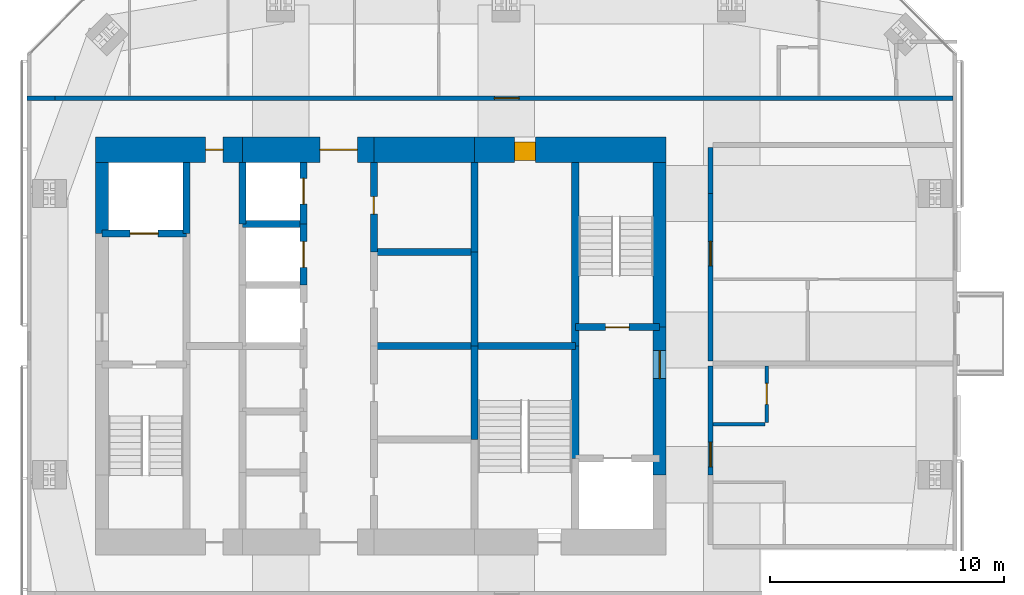
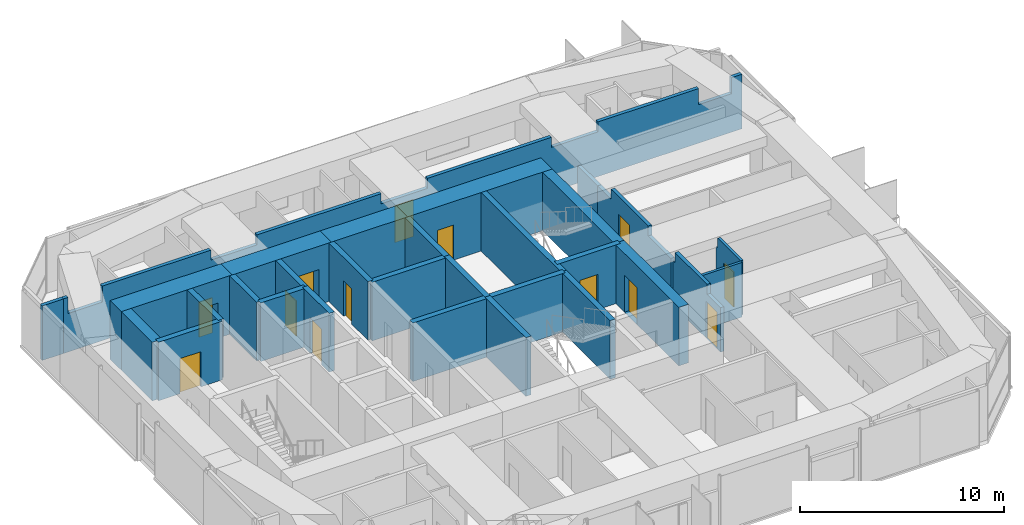
# One storey, part 15 of 18: 30 walls, 13 doors, 13 openings.
"""IFC4 building model written with IfcOpenShell, lengths in metres."""

import ifcopenshell
import ifcopenshell.guid

model = None  # the IFC model being written
_history = None  # IfcOwnerHistory: only IFC2X3 demands one
_inside = {}  # id of a spatial element -> (the spatial element, [elements in it])
_under = {}  # id of a project, library or spatial element -> (it, [spatial elements below it])
_declared = {}  # id of a project -> (the project, [libraries it declares])
_typed = {}  # id of a type object -> (the type object, [elements of that type])
_made_of = {}  # id of a material, layer set ... -> (it, [elements and type objects made of it])


def new_model(schema):
    """Start an empty IFC model of exactly this schema.

    Asked for "IFC4X3", IfcOpenShell would pick the latest addendum, in which some entities
    have other attributes; the version numbers below select the first issue.
    IFC2X3 requires an IfcOwnerHistory on every rooted entity: one is made here for all.
    """
    global model, _history
    if schema == "IFC4X3":
        model = ifcopenshell.file(schema_version=(4, 3, 0, 0))
    else:
        model = ifcopenshell.file(schema=schema)
    _inside.clear()
    _under.clear()
    _declared.clear()
    _typed.clear()
    _made_of.clear()
    _history = None
    if model.schema == "IFC2X3":
        org = make("IfcOrganization", Name="unknown")
        user = make(
            "IfcPersonAndOrganization",
            ThePerson=make("IfcPerson", FamilyName="unknown"),
            TheOrganization=org,
        )
        app = make(
            "IfcApplication",
            ApplicationDeveloper=org,
            Version="unknown",
            ApplicationFullName="unknown",
            ApplicationIdentifier="unknown",
        )
        _history = make(
            "IfcOwnerHistory",
            OwningUser=user,
            OwningApplication=app,
            ChangeAction="ADDED",
            CreationDate=0,
        )
    return model


def make(cls, **values):
    """One entity of the class cls with the attributes given. An attribute that is None is left unset."""
    return model.create_entity(
        cls, **{name: value for name, value in values.items() if value is not None}
    )


def rooted(cls, **values):
    """An entity with a GlobalId (a new one), such as an element, a storey or a relation."""
    return make(cls, GlobalId=ifcopenshell.guid.new(), OwnerHistory=_history, **values)


def si_unit(unit_type, name, prefix=None):
    """IfcSIUnit, for example si_unit("LENGTHUNIT", "METRE", prefix="MILLI")."""
    return make("IfcSIUnit", UnitType=unit_type, Prefix=prefix, Name=name)


def assignment(units):
    """IfcUnitAssignment: the units of a project."""
    return None if units is None else make("IfcUnitAssignment", Units=units)


def point(xyz):
    """IfcCartesianPoint."""
    return None if xyz is None else make("IfcCartesianPoint", Coordinates=xyz)


def direction(xyz):
    """IfcDirection."""
    return None if xyz is None else make("IfcDirection", DirectionRatios=xyz)


def frame(location, z_axis=None, x_axis=None):
    """IfcAxis2Placement3D, a coordinate frame: its origin and axes. An axis left out is left unset."""
    return make(
        "IfcAxis2Placement3D",
        Location=point(location),
        Axis=direction(z_axis),
        RefDirection=direction(x_axis),
    )


def frame_2d(location, x_axis=None):
    """IfcAxis2Placement2D, a coordinate frame in the plane: its origin and x axis."""
    return make(
        "IfcAxis2Placement2D", Location=point(location), RefDirection=direction(x_axis)
    )


def origin():
    """The frame at (0, 0, 0) with its axes left unset."""
    return frame((0.0, 0.0, 0.0))


def place(relative_to, where):
    """IfcLocalPlacement: puts the frame where relative to a parent placement (None: the world)."""
    return make(
        "IfcLocalPlacement", PlacementRelTo=relative_to, RelativePlacement=where
    )


def context(
    kind, dimensions, precision=None, world=None, true_north=None, identifier=None
):
    """IfcGeometricRepresentationContext, for example the 3D "Model" context."""
    return make(
        "IfcGeometricRepresentationContext",
        ContextIdentifier=identifier,
        ContextType=kind,
        CoordinateSpaceDimension=dimensions,
        Precision=precision,
        WorldCoordinateSystem=world,
        TrueNorth=true_north,
    )


def subcontext(parent, identifier, kind, view, scale=None):
    """IfcGeometricRepresentationSubContext, for example "Body" below "Model"."""
    return make(
        "IfcGeometricRepresentationSubContext",
        ContextIdentifier=identifier,
        ContextType=kind,
        ParentContext=parent,
        TargetScale=scale,
        TargetView=view,
    )


def project(units=None, contexts=None):
    """IfcProject with its units and contexts."""
    return rooted(
        "IfcProject",
        Name="project",
        RepresentationContexts=contexts,
        UnitsInContext=assignment(units),
    )


def spatial(cls, under=None, at=None, **own):
    """A site, building, storey or space (cls), placed at a placement, below another one or the project."""
    s = rooted(cls, ObjectPlacement=at, **own)
    if under is not None:
        _under.setdefault(under.id(), (under, []))[1].append(s)
    return s


def polyline(points):
    """IfcPolyline through the points."""
    return make("IfcPolyline", Points=[point(p) for p in points])


def profile(cls, at=None, kind="AREA", **sizes):
    """A parametric profile (cls). Its sizes go by their IFC names, for example OverallWidth=200.0."""
    return make(cls, ProfileType=kind, Position=at, **sizes)


def rectangle(**sizes):
    """IfcRectangleProfileDef."""
    return profile("IfcRectangleProfileDef", **sizes)


def outline(outer, holes=None, kind="AREA"):
    """IfcArbitraryClosedProfileDef: a profile drawn as a closed curve; with holes, ...WithVoids."""
    if holes is None:
        return make("IfcArbitraryClosedProfileDef", ProfileType=kind, OuterCurve=outer)
    return make(
        "IfcArbitraryProfileDefWithVoids",
        ProfileType=kind,
        OuterCurve=outer,
        InnerCurves=holes,
    )


def extrude(swept, where, along, depth):
    """IfcExtrudedAreaSolid: the profile swept, set in the frame where, extruded along a direction by depth."""
    return make(
        "IfcExtrudedAreaSolid",
        SweptArea=swept,
        Position=where,
        ExtrudedDirection=direction(along),
        Depth=depth,
    )


def shape(context_of_items, identifier, shape_type, items):
    """IfcShapeRepresentation: the items that make up one representation, for example the "Body"."""
    return make(
        "IfcShapeRepresentation",
        ContextOfItems=context_of_items,
        RepresentationIdentifier=identifier,
        RepresentationType=shape_type,
        Items=items,
    )


def material(Name=None, Category=None):
    """IfcMaterial."""
    return make("IfcMaterial", Name=Name, Category=Category)


def layer(
    of_material, thickness, ventilated=None, Name=None, Category=None, Priority=None
):
    """IfcMaterialLayer: one layer of a wall or slab, of a material (None: an air gap)."""
    return make(
        "IfcMaterialLayer",
        Material=of_material,
        LayerThickness=thickness,
        IsVentilated=ventilated,
        Name=Name,
        Category=Category,
        Priority=Priority,
    )


def layer_set(layers, Name=None):
    """IfcMaterialLayerSet."""
    return make("IfcMaterialLayerSet", MaterialLayers=layers, LayerSetName=Name)


def constituent(of_material, Name=None, Category=None, fraction=None):
    """IfcMaterialConstituent: one of the materials an element consists of."""
    return make(
        "IfcMaterialConstituent",
        Name=Name,
        Material=of_material,
        Fraction=fraction,
        Category=Category,
    )


def constituent_set(constituents=None, Name=None):
    """IfcMaterialConstituentSet."""
    return make(
        "IfcMaterialConstituentSet", Name=Name, MaterialConstituents=constituents
    )


def made_of(thing, what):
    """Note that an element or type object is made of a material, layer set ...; save() writes the relation."""
    if what is not None:
        _made_of.setdefault(what.id(), (what, []))[1].append(thing)
    return thing


def type_object(cls, material=None, **own):
    """A type object (cls), such as IfcWallType, which elements share."""
    return made_of(rooted(cls, **own), material)


def element(
    cls,
    number,
    at=None,
    inside=None,
    cuts=None,
    type_object=None,
    material=None,
    context=None,
    identifier="Body",
    shape_type=None,
    held_by="IfcProductDefinitionShape",
    body=None,
    shapes=None,
    **own,
):
    """One element of the class cls, such as IfcWall. Its Tag is "e" and its number.

    at: its placement. inside: the storey or other place that contains it. cuts: it is an
    opening in that element (IfcRelVoidsElement). A single representation is given by context,
    identifier, shape_type and body (its items); several are given by shapes. held_by: the class
    of the entity that holds the representations. save() writes the other relations.
    """
    e = rooted(cls, Tag="e%d" % number, ObjectPlacement=at, **own)
    if body is not None:
        shapes = [shape(context, identifier, shape_type, body)]
    if shapes is not None:
        e.Representation = make(held_by, Representations=shapes)
    if inside is not None:
        _inside.setdefault(inside.id(), (inside, []))[1].append(e)
    if cuts is not None:
        rooted(
            "IfcRelVoidsElement", RelatingBuildingElement=cuts, RelatedOpeningElement=e
        )
    if type_object is not None:
        _typed.setdefault(type_object.id(), (type_object, []))[1].append(e)
    return made_of(e, material)


def fill(opening, filler):
    """IfcRelFillsElement: the door or window that sits in an opening."""
    return rooted(
        "IfcRelFillsElement",
        RelatingOpeningElement=opening,
        RelatedBuildingElement=filler,
    )


def aggregate(whole, parts):
    """IfcRelAggregates: a whole, such as a stair, and the parts it consists of."""
    return rooted("IfcRelAggregates", RelatingObject=whole, RelatedObjects=parts)


def save(model, path):
    """Write the relations noted so far, then the file.

    IfcRelAggregates (storeys below a building ...), IfcRelContainedInSpatialStructure (elements
    in a storey), IfcRelDefinesByType, IfcRelAssociatesMaterial and IfcRelDeclares: one each for
    every whole, place, type object, material and project.
    """
    for whole, parts in _under.values():
        aggregate(whole, parts)
    for where, things in _inside.values():
        rooted(
            "IfcRelContainedInSpatialStructure",
            RelatedElements=things,
            RelatingStructure=where,
        )
    for kind, things in _typed.values():
        rooted("IfcRelDefinesByType", RelatedObjects=things, RelatingType=kind)
    for what, things in _made_of.values():
        rooted("IfcRelAssociatesMaterial", RelatedObjects=things, RelatingMaterial=what)
    for by, libraries in _declared.values():
        rooted("IfcRelDeclares", RelatingContext=by, RelatedDefinitions=libraries)
    model.write(path)


model = new_model("IFC4")

# Units and contexts
model_context = context("Model", 3, precision=1e-05, world=origin(), true_north=direction((0.0, 1.0)))
body_context = subcontext(model_context, "Body", "Model", "MODEL_VIEW")
ifc_project = project(units=[si_unit("LENGTHUNIT", "METRE"), si_unit("AREAUNIT", "SQUARE_METRE"), si_unit("VOLUMEUNIT", "CUBIC_METRE"), si_unit("PLANEANGLEUNIT", "RADIAN"), si_unit("MASSUNIT", "GRAM", prefix="KILO")], contexts=[model_context])

# Site, building, storey
site_placement = place(None, origin())
site = spatial("IfcSite", under=ifc_project, at=site_placement, CompositionType="ELEMENT")
building_placement = place(site_placement, origin())
building = spatial("IfcBuilding", under=site, at=building_placement, Name="Jalousie Tower", CompositionType="ELEMENT")
storey_placement = place(building_placement, frame((0.0, 0.0, 256.449951171875)))
storey = spatial("IfcBuildingStorey", under=building, at=storey_placement, Name="L70", CompositionType="ELEMENT", Elevation=256.449951171875)

# Wall, opening, door
ifc_material_1 = material(Name="Concrete block ASTM C90", Category="concrete")
ifc_constituent_1 = constituent(ifc_material_1, Name="Body")
ifc_material_2 = material(Name="Render")
ifc_constituent_2 = constituent(ifc_material_2, Name="Finish")
ifc_constituent_set_1 = constituent_set(constituents=[ifc_constituent_1, ifc_constituent_2])
wall_type_1 = type_object("IfcWallType", Name="BATHROOM WALL 150", PredefinedType="PLUMBINGWALL", material=ifc_constituent_set_1)
wall_1_placement = place(storey_placement, frame((48.375, 15.22509765625, 0.0), z_axis=(0.0, 0.0, 1.0), x_axis=(0.0, 1.0, 0.0)))
wall_1 = element("IfcWall", 1, at=wall_1_placement, inside=storey, type_object=wall_type_1, Name="Bathroom Wall 150 L70", PredefinedType="PLUMBINGWALL", context=body_context, shape_type="SweptSolid", body=[
    extrude(outline(polyline([(0.0, 0.0), (2.4248046875, 0.0), (2.425048828125, 3.260009765625), (2.425048828125, 2.66015625), (2.239990234375, 2.66015625), (2.239990234375, 3.260009765625), (0.0, 3.260009765625), (0.0, 0.0)])), frame((0.0, 0.074951171875, 0.0), z_axis=(0.0, -1.0, 0.0), x_axis=(1.0, 0.0, 0.0)), (0.0, 0.0, 1.0), 0.14990234375),
])
opening_1_placement = place(wall_1_placement, frame((0.77490234375, 0.0, 0.0)))
opening_1 = element("IfcOpeningElement", 2, at=opening_1_placement, cuts=wall_1, Name="Opening D3", PredefinedType="OPENING", context=body_context, shape_type="SweptSolid", body=[
    extrude(rectangle(XDim=0.89990234375, YDim=2.10009765625, at=frame_2d((0.449951171875, 1.050048828125))), frame((0.0, 0.0849609375, 0.0), z_axis=(0.0, -1.0, 0.0), x_axis=(1.0, 0.0, 0.0)), (0.0, 0.0, 1.0), 0.169921875),
])
ifc_material_3 = material(Name="Timber door", Category="wood")
door_type_1 = type_object("IfcDoorType", Name="BATHROOM DOOR 900", OperationType="SINGLE_SWING_LEFT", PredefinedType="DOOR", material=ifc_material_3)
door_1_placement = place(opening_1_placement, origin())
door_1 = element("IfcDoor", 3, at=door_1_placement, inside=storey, type_object=door_type_1, Name="Apartment 7003 bathroom door", OperationType="SINGLE_SWING_RIGHT", OverallHeight=2.10009765625, OverallWidth=0.89990234375, PredefinedType="DOOR", context=body_context, shape_type="SweptSolid", body=[
    extrude(rectangle(XDim=0.89990234375, YDim=2.10009765625, at=frame_2d((0.449951171875, 1.050048828125))), frame((0.0, 0.02490234375, 0.0), z_axis=(0.0, -1.0, 0.0), x_axis=(1.0, 0.0, 0.0)), (0.0, 0.0, 1.0), 0.050048828125),
])
fill(opening_1, door_1)

# Wall
wall_2_placement = place(storey_placement, frame((48.300048828125, 15.14990234375, 0.0), z_axis=(0.0, 0.0, 1.0), x_axis=(-1.0, 0.0, 0.0)))
element("IfcWall", 4, at=wall_2_placement, inside=storey, type_object=wall_type_1, Name="Bathroom Wall 150 L70", PredefinedType="PLUMBINGWALL", context=body_context, shape_type="SweptSolid", body=[
    extrude(rectangle(XDim=2.22509765625, YDim=0.14990234375, at=frame_2d((1.112548828125, 0.0))), origin(), (0.0, 0.0, 1.0), 3.260009765625),
])

# Wall, opening, door
ifc_material_4 = material(Name="Concrete f'c 120 MPa", Category="concrete")
ifc_layer_1 = layer(ifc_material_4, 1.10009765625)
ifc_layer_set_1 = layer_set([ifc_layer_1], Name="Concrete f'c 120 MPa")
wall_type_2 = type_object("IfcWallType", Name="CORE WALL 1100", PredefinedType="SHEAR", material=ifc_layer_set_1)
wall_3_placement = place(storey_placement, frame((44.074951171875, 26.875, 0.0), z_axis=(0.0, 0.0, 1.0), x_axis=(-1.0, 0.0, 0.0)))
wall_3 = element("IfcWall", 5, at=wall_3_placement, inside=storey, type_object=wall_type_2, Name="Core wall NA L70", PredefinedType="SHEAR", context=body_context, shape_type="SweptSolid", body=[
    extrude(rectangle(XDim=8.175048828125, YDim=1.10009765625, at=frame_2d((4.08740234375, 0.0))), origin(), (0.0, 0.0, 1.0), 3.5),
])
opening_2_placement = place(wall_3_placement, frame((5.574951171875, 0.0, 0.0)))
opening_2 = element("IfcOpeningElement", 6, at=opening_2_placement, cuts=wall_3, Name="Opening D18", PredefinedType="OPENING", context=body_context, shape_type="SweptSolid", body=[
    extrude(rectangle(XDim=0.89990234375, YDim=2.10009765625, at=frame_2d((0.449951171875, 1.050048828125))), frame((0.0, 0.56005859375, 0.0), z_axis=(0.0, -1.0, 0.0), x_axis=(1.0, 0.0, 0.0)), (0.0, 0.0, 1.0), 1.1201171875),
])
ifc_material_5 = material(Name="Steel fire door", Category="steel")
door_type_2 = type_object("IfcDoorType", Name="CLEANER'S STORE DOOR 900", OperationType="SINGLE_SWING_LEFT", PredefinedType="DOOR", material=ifc_material_5)
door_2_placement = place(opening_2_placement, origin())
door_2 = element("IfcDoor", 7, at=door_2_placement, inside=storey, type_object=door_type_2, Name="Cleaner's store door", OperationType="SINGLE_SWING_LEFT", OverallHeight=2.10009765625, OverallWidth=0.89990234375, PredefinedType="DOOR", context=body_context, shape_type="SweptSolid", body=[
    extrude(rectangle(XDim=0.89990234375, YDim=2.10009765625, at=frame_2d((0.449951171875, 1.050048828125))), frame((0.0, 0.47021484375, 0.0), z_axis=(0.0, -1.0, 0.0), x_axis=(1.0, 0.0, 0.0)), (0.0, 0.0, 1.0), 0.800048828125),
])
fill(opening_2, door_2)

# Wall
wall_4_placement = place(storey_placement, frame((35.89990234375, 26.875, 0.0), z_axis=(0.0, 0.0, 1.0), x_axis=(-1.0, 0.0, 0.0)))
element("IfcWall", 8, at=wall_4_placement, inside=storey, type_object=wall_type_2, Name="Core wall NB L70", PredefinedType="SHEAR", context=body_context, shape_type="SweptSolid", body=[
    extrude(rectangle(XDim=4.2998046875, YDim=1.10009765625, at=frame_2d((2.14990234375, 0.0))), origin(), (0.0, 0.0, 1.0), 3.5),
])

# Wall, opening, door
wall_5_placement = place(storey_placement, frame((31.60009765625, 26.875, 0.0), z_axis=(0.0, 0.0, 1.0), x_axis=(-1.0, 0.0, 0.0)))
wall_5 = element("IfcWall", 9, at=wall_5_placement, inside=storey, type_object=wall_type_2, Name="Core wall NC L70", PredefinedType="SHEAR", context=body_context, shape_type="SweptSolid", body=[
    extrude(rectangle(XDim=5.60009765625, YDim=1.10009765625, at=frame_2d((2.800048828125, 0.0))), origin(), (0.0, 0.0, 1.0), 3.5),
])
opening_3_placement = place(wall_5_placement, frame((0.699951171875, 0.0, 0.0)))
opening_3 = element("IfcOpeningElement", 10, at=opening_3_placement, cuts=wall_5, Name="Opening D15", PredefinedType="OPENING", context=body_context, shape_type="SweptSolid", body=[
    extrude(rectangle(XDim=1.60009765625, YDim=2.10009765625, at=frame_2d((0.800048828125, 1.050048828125))), frame((0.0, 0.56005859375, 0.0), z_axis=(0.0, -1.0, 0.0), x_axis=(1.0, 0.0, 0.0)), (0.0, 0.0, 1.0), 1.1201171875),
])
ifc_material_6 = material(Name="Steel fire door", Category="steel")
door_type_3 = type_object("IfcDoorType", Name="LIFT LOBBY DOOR 1600", OperationType="DOUBLE_DOOR_SINGLE_SWING", PredefinedType="DOOR", material=ifc_material_6)
door_3_placement = place(opening_3_placement, origin())
door_3 = element("IfcDoor", 11, at=door_3_placement, inside=storey, type_object=door_type_3, Name="Lift lobby north door", OperationType="DOUBLE_DOOR_SINGLE_SWING", OverallHeight=2.10009765625, OverallWidth=1.60009765625, PredefinedType="DOOR", context=body_context, shape_type="SweptSolid", body=[
    extrude(rectangle(XDim=1.60009765625, YDim=2.10009765625, at=frame_2d((0.800048828125, 1.050048828125))), frame((0.0, 0.02490234375, 0.0), z_axis=(0.0, -1.0, 0.0), x_axis=(1.0, 0.0, 0.0)), (0.0, 0.0, 1.0), 0.050048828125),
])
fill(opening_3, door_3)

wall_6_placement = place(storey_placement, frame((26.0, 26.875, 0.0), z_axis=(0.0, 0.0, 1.0), x_axis=(-1.0, 0.0, 0.0)))
wall_6 = element("IfcWall", 12, at=wall_6_placement, inside=storey, type_object=wall_type_2, Name="Core wall ND L70", PredefinedType="SHEAR", context=body_context, shape_type="SweptSolid", body=[
    extrude(rectangle(XDim=6.27490234375, YDim=1.10009765625, at=frame_2d((3.137451171875, 0.0))), origin(), (0.0, 0.0, 1.0), 3.5),
])
opening_4_placement = place(wall_6_placement, frame((0.824951171875, 0.0, 0.0)))
opening_4 = element("IfcOpeningElement", 13, at=opening_4_placement, cuts=wall_6, Name="Opening D16", PredefinedType="OPENING", context=body_context, shape_type="SweptSolid", body=[
    extrude(rectangle(XDim=0.75, YDim=2.10009765625, at=frame_2d((0.375, 1.050048828125))), frame((0.0, 0.56005859375, 0.0), z_axis=(0.0, -1.0, 0.0), x_axis=(1.0, 0.0, 0.0)), (0.0, 0.0, 1.0), 1.1201171875),
])
ifc_material_7 = material(Name="Steel fire door", Category="steel")
door_type_4 = type_object("IfcDoorType", Name="RISER DOOR 750", OperationType="SINGLE_SWING_LEFT", PredefinedType="DOOR", material=ifc_material_7)
door_4_placement = place(opening_4_placement, origin())
door_4 = element("IfcDoor", 14, at=door_4_placement, inside=storey, type_object=door_type_4, Name="North riser door", OperationType="SINGLE_SWING_RIGHT", OverallHeight=2.10009765625, OverallWidth=0.75, PredefinedType="DOOR", context=body_context, shape_type="SweptSolid", body=[
    extrude(rectangle(XDim=0.75, YDim=2.10009765625, at=frame_2d((0.375, 1.050048828125))), frame((0.0, 0.02490234375, 0.0), z_axis=(0.0, -1.0, 0.0), x_axis=(1.0, 0.0, 0.0)), (0.0, 0.0, 1.0), 0.050048828125),
])
fill(opening_4, door_4)

# Walls
ifc_material_8 = material(Name="Concrete f'c 120 MPa", Category="concrete")
ifc_layer_2 = layer(ifc_material_8, 0.300048828125)
ifc_layer_set_2 = layer_set([ifc_layer_2], Name="Concrete f'c 120 MPa")
wall_type_3 = type_object("IfcWallType", Name="CORE WALL 300", PredefinedType="SHEAR", material=ifc_layer_set_2)
wall_7_placement = place(storey_placement, frame((23.60009765625, 23.300048828125, 0.0), z_axis=(0.0, 0.0, 1.0), x_axis=(0.0, 1.0, 0.0)))
element("IfcWall", 15, at=wall_7_placement, inside=storey, type_object=wall_type_3, Name="Core wall X23.6C L70", PredefinedType="SHEAR", context=body_context, shape_type="SweptSolid", body=[
    extrude(rectangle(XDim=3.02490234375, YDim=0.300048828125, at=frame_2d((1.512451171875, 0.0))), origin(), (0.0, 0.0, 1.0), 3.5),
])
wall_8_placement = place(storey_placement, frame((26.0, 23.699951171875, 0.0), z_axis=(0.0, 0.0, 1.0), x_axis=(0.0, 1.0, 0.0)))
element("IfcWall", 16, at=wall_8_placement, inside=storey, type_object=wall_type_3, Name="Core wall X26F L70", PredefinedType="SHEAR", context=body_context, shape_type="SweptSolid", body=[
    extrude(rectangle(XDim=2.625, YDim=0.300048828125, at=frame_2d((1.3125, 0.0))), origin(), (0.0, 0.0, 1.0), 3.5),
])

# Wall, opening, door
wall_9_placement = place(storey_placement, frame((28.60009765625, 21.10009765625, 0.0), z_axis=(0.0, 0.0, 1.0), x_axis=(0.0, 1.0, 0.0)))
wall_9 = element("IfcWall", 17, at=wall_9_placement, inside=storey, type_object=wall_type_3, Name="Core wall X28.6E L70", PredefinedType="SHEAR", context=body_context, shape_type="SweptSolid", body=[
    extrude(rectangle(XDim=2.599853515625, YDim=0.300048828125, at=frame_2d((1.2998046875, 0.0))), origin(), (0.0, 0.0, 1.0), 3.5),
])
opening_5_placement = place(wall_9_placement, frame((0.75, 0.0, 0.0)))
opening_5 = element("IfcOpeningElement", 18, at=opening_5_placement, cuts=wall_9, Name="Opening LD1", PredefinedType="OPENING", context=body_context, shape_type="SweptSolid", body=[
    extrude(rectangle(XDim=1.10009765625, YDim=2.10009765625, at=frame_2d((0.550048828125, 1.050048828125))), frame((0.0, 0.159912109375, 0.0), z_axis=(0.0, -1.0, 0.0), x_axis=(1.0, 0.0, 0.0)), (0.0, 0.0, 1.0), 0.320068359375),
])
ifc_material_9 = material(Name="Steel lift landing door", Category="steel")
door_type_5 = type_object("IfcDoorType", Name="LIFT LANDING DOOR 1100", OperationType="SLIDING_TO_LEFT", PredefinedType="DOOR", material=ifc_material_9)
door_5_placement = place(opening_5_placement, origin())
door_5 = element("IfcDoor", 19, at=door_5_placement, inside=storey, type_object=door_type_5, Name="Lift P5 landing door", OperationType="SLIDING_TO_LEFT", OverallHeight=2.10009765625, OverallWidth=1.10009765625, PredefinedType="DOOR", context=body_context, shape_type="SweptSolid", body=[
    extrude(rectangle(XDim=1.10009765625, YDim=2.10009765625, at=frame_2d((0.550048828125, 1.050048828125))), frame((0.0, 0.02490234375, 0.0), z_axis=(0.0, -1.0, 0.0), x_axis=(1.0, 0.0, 0.0)), (0.0, 0.0, 1.0), 0.050048828125),
])
fill(opening_5, door_5)

wall_10_placement = place(storey_placement, frame((28.60009765625, 23.699951171875, 0.0), z_axis=(0.0, 0.0, 1.0), x_axis=(0.0, 1.0, 0.0)))
wall_10 = element("IfcWall", 20, at=wall_10_placement, inside=storey, type_object=wall_type_3, Name="Core wall X28.6F L70", PredefinedType="SHEAR", context=body_context, shape_type="SweptSolid", body=[
    extrude(rectangle(XDim=2.625, YDim=0.300048828125, at=frame_2d((1.3125, 0.0))), origin(), (0.0, 0.0, 1.0), 3.5),
])
opening_6_placement = place(wall_10_placement, frame((0.85009765625, 0.0, 0.0)))
opening_6 = element("IfcOpeningElement", 21, at=opening_6_placement, cuts=wall_10, Name="Opening LD1", PredefinedType="OPENING", context=body_context, shape_type="SweptSolid", body=[
    extrude(rectangle(XDim=1.10009765625, YDim=2.10009765625, at=frame_2d((0.550048828125, 1.050048828125))), frame((0.0, 0.159912109375, 0.0), z_axis=(0.0, -1.0, 0.0), x_axis=(1.0, 0.0, 0.0)), (0.0, 0.0, 1.0), 0.320068359375),
])
door_6_placement = place(opening_6_placement, origin())
door_6 = element("IfcDoor", 22, at=door_6_placement, inside=storey, type_object=door_type_5, Name="Lift P6 landing door", OperationType="SLIDING_TO_LEFT", OverallHeight=2.10009765625, OverallWidth=1.10009765625, PredefinedType="DOOR", context=body_context, shape_type="SweptSolid", body=[
    extrude(rectangle(XDim=1.10009765625, YDim=2.10009765625, at=frame_2d((0.550048828125, 1.050048828125))), frame((0.0, 0.02490234375, 0.0), z_axis=(0.0, -1.0, 0.0), x_axis=(1.0, 0.0, 0.0)), (0.0, 0.0, 1.0), 0.050048828125),
])
fill(opening_6, door_6)

wall_11_placement = place(storey_placement, frame((31.60009765625, 22.5, 0.0), z_axis=(0.0, 0.0, 1.0), x_axis=(0.0, 1.0, 0.0)))
wall_11 = element("IfcWall", 23, at=wall_11_placement, inside=storey, type_object=wall_type_3, Name="Core wall X31.6D L70", PredefinedType="SHEAR", context=body_context, shape_type="SweptSolid", body=[
    extrude(rectangle(XDim=3.824951171875, YDim=0.300048828125, at=frame_2d((1.91259765625, 0.0))), origin(), (0.0, 0.0, 1.0), 3.5),
])
opening_7_placement = place(wall_11_placement, frame((1.625, 0.0, 0.0)))
opening_7 = element("IfcOpeningElement", 24, at=opening_7_placement, cuts=wall_11, Name="Opening D16", PredefinedType="OPENING", context=body_context, shape_type="SweptSolid", body=[
    extrude(rectangle(XDim=0.75, YDim=2.10009765625, at=frame_2d((0.375, 1.050048828125))), frame((0.0, 0.159912109375, 0.0), z_axis=(0.0, -1.0, 0.0), x_axis=(1.0, 0.0, 0.0)), (0.0, 0.0, 1.0), 0.320068359375),
])
door_7_placement = place(opening_7_placement, frame((0.75, 0.0, 0.0), z_axis=(0.0, 0.0, 1.0), x_axis=(-1.0, 0.0, 0.0)))
door_7 = element("IfcDoor", 25, at=door_7_placement, inside=storey, type_object=door_type_4, Name="Water Services Room door", OperationType="SINGLE_SWING_LEFT", OverallHeight=2.10009765625, OverallWidth=0.75, PredefinedType="DOOR", context=body_context, shape_type="SweptSolid", body=[
    extrude(rectangle(XDim=0.75, YDim=2.10009765625, at=frame_2d((0.375, 1.050048828125))), frame((0.0, 0.02490234375, 0.0), z_axis=(0.0, -1.0, 0.0), x_axis=(1.0, 0.0, 0.0)), (0.0, 0.0, 1.0), 0.050048828125),
])
fill(opening_7, door_7)

# Walls
for number, where, z_axis, x_axis, name in (
    (26, (35.89990234375, 14.5, 0.0), (0.0, 0.0, 1.0), (0.0, 1.0, 0.0), "Core wall X35.9B L70"),
    (27, (35.89990234375, 18.5, 0.0), (0.0, 0.0, 1.0), (0.0, 1.0, 0.0), "Core wall X35.9C L70"),
):
    element("IfcWall", number, at=place(storey_placement, frame(where, z_axis=z_axis, x_axis=x_axis)), inside=storey, type_object=wall_type_3, Name=name, PredefinedType="SHEAR", context=body_context, shape_type="SweptSolid", body=[
        extrude(rectangle(XDim=4.0, YDim=0.300048828125, at=frame_2d((2.0, 0.0))), origin(), (0.0, 0.0, 1.0), 3.5),
    ])
wall_12_placement = place(storey_placement, frame((35.89990234375, 22.5, 0.0), z_axis=(0.0, 0.0, 1.0), x_axis=(0.0, 1.0, 0.0)))
element("IfcWall", 28, at=wall_12_placement, inside=storey, type_object=wall_type_3, Name="Core wall X35.9D L70", PredefinedType="SHEAR", context=body_context, shape_type="SweptSolid", body=[
    extrude(rectangle(XDim=3.824951171875, YDim=0.300048828125, at=frame_2d((1.91259765625, 0.0))), origin(), (0.0, 0.0, 1.0), 3.5),
])
wall_13_placement = place(storey_placement, frame((40.199951171875, 13.699951171875, 0.0), z_axis=(0.0, 0.0, 1.0), x_axis=(0.0, 1.0, 0.0)))
element("IfcWall", 29, at=wall_13_placement, inside=storey, type_object=wall_type_3, Name="Core wall X40.2B L70", PredefinedType="SHEAR", context=body_context, shape_type="SweptSolid", body=[
    extrude(rectangle(XDim=4.800048828125, YDim=0.300048828125, at=frame_2d((2.39990234375, 0.0))), origin(), (0.0, 0.0, 1.0), 3.5),
])
wall_14_placement = place(storey_placement, frame((40.199951171875, 18.5, 0.0), z_axis=(0.0, 0.0, 1.0), x_axis=(0.0, 1.0, 0.0)))
element("IfcWall", 30, at=wall_14_placement, inside=storey, type_object=wall_type_3, Name="Core wall X40.2C L70", PredefinedType="SHEAR", context=body_context, shape_type="SweptSolid", body=[
    extrude(rectangle(XDim=7.824951171875, YDim=0.300048828125, at=frame_2d((3.91259765625, 0.0))), origin(), (0.0, 0.0, 1.0), 3.5),
])

# Wall, opening, door
wall_15_placement = place(storey_placement, frame((20.0, 23.300048828125, 0.0), z_axis=(0.0, 0.0, 1.0), x_axis=(1.0, 0.0, 0.0)))
wall_15 = element("IfcWall", 31, at=wall_15_placement, inside=storey, type_object=wall_type_3, Name="Core wall Y20-23.3 L70", PredefinedType="SHEAR", context=body_context, shape_type="SweptSolid", body=[
    extrude(rectangle(XDim=3.60009765625, YDim=0.300048828125, at=frame_2d((1.800048828125, 0.0))), origin(), (0.0, 0.0, 1.0), 3.5),
])
opening_8_placement = place(wall_15_placement, frame((1.199951171875, 0.0, 0.0)))
opening_8 = element("IfcOpeningElement", 32, at=opening_8_placement, cuts=wall_15, Name="Opening LD2", PredefinedType="OPENING", context=body_context, shape_type="SweptSolid", body=[
    extrude(rectangle(XDim=1.199951171875, YDim=2.10009765625, at=frame_2d((0.60009765625, 1.050048828125))), frame((0.0, 0.159912109375, 0.0), z_axis=(0.0, -1.0, 0.0), x_axis=(1.0, 0.0, 0.0)), (0.0, 0.0, 1.0), 0.320068359375),
])
ifc_material_10 = material(Name="Steel lift landing door", Category="steel")
door_type_6 = type_object("IfcDoorType", Name="LIFT LANDING DOOR 1200", OperationType="SLIDING_TO_LEFT", PredefinedType="DOOR", material=ifc_material_10)
door_8_placement = place(opening_8_placement, origin())
door_8 = element("IfcDoor", 33, at=door_8_placement, inside=storey, type_object=door_type_6, Name="Lift F1 landing door", OperationType="SLIDING_TO_LEFT", OverallHeight=2.10009765625, OverallWidth=1.199951171875, PredefinedType="DOOR", context=body_context, shape_type="SweptSolid", body=[
    extrude(rectangle(XDim=1.199951171875, YDim=2.10009765625, at=frame_2d((0.60009765625, 1.050048828125))), frame((0.0, 0.02490234375, 0.0), z_axis=(0.0, -1.0, 0.0), x_axis=(1.0, 0.0, 0.0)), (0.0, 0.0, 1.0), 0.050048828125),
])
fill(opening_8, door_8)

# Walls
wall_16_placement = place(storey_placement, frame((26.0, 23.699951171875, 0.0), z_axis=(0.0, 0.0, 1.0), x_axis=(1.0, 0.0, 0.0)))
element("IfcWall", 34, at=wall_16_placement, inside=storey, type_object=wall_type_3, Name="Core wall Y26-23.7 L70", PredefinedType="SHEAR", context=body_context, shape_type="SweptSolid", body=[
    extrude(rectangle(XDim=2.60009765625, YDim=0.300048828125, at=frame_2d((1.300048828125, 0.0))), origin(), (0.0, 0.0, 1.0), 3.5),
])
for number, where, z_axis, x_axis, name in (
    (35, (31.60009765625, 18.5, 0.0), (0.0, 0.0, 1.0), (1.0, 0.0, 0.0), "Core wall Y31.6-18.5 L70"),
    (36, (31.60009765625, 22.5, 0.0), (0.0, 0.0, 1.0), (1.0, 0.0, 0.0), "Core wall Y31.6-22.5 L70"),
):
    element("IfcWall", number, at=place(storey_placement, frame(where, z_axis=z_axis, x_axis=x_axis)), inside=storey, type_object=wall_type_3, Name=name, PredefinedType="SHEAR", context=body_context, shape_type="SweptSolid", body=[
        extrude(rectangle(XDim=4.2998046875, YDim=0.300048828125, at=frame_2d((2.14990234375, 0.0))), origin(), (0.0, 0.0, 1.0), 3.5),
    ])
wall_17_placement = place(storey_placement, frame((35.89990234375, 18.5, 0.0), z_axis=(0.0, 0.0, 1.0), x_axis=(1.0, 0.0, 0.0)))
element("IfcWall", 37, at=wall_17_placement, inside=storey, type_object=wall_type_3, Name="Core wall Y35.9-18.5 L70", PredefinedType="SHEAR", context=body_context, shape_type="SweptSolid", body=[
    extrude(rectangle(XDim=4.300048828125, YDim=0.300048828125, at=frame_2d((2.14990234375, 0.0))), origin(), (0.0, 0.0, 1.0), 3.5),
])

# Wall, opening, door
wall_18_placement = place(storey_placement, frame((40.199951171875, 19.300048828125, 0.0), z_axis=(0.0, 0.0, 1.0), x_axis=(1.0, 0.0, 0.0)))
wall_18 = element("IfcWall", 38, at=wall_18_placement, inside=storey, type_object=wall_type_3, Name="Core wall Y40.2-19.3 L70", PredefinedType="SHEAR", context=body_context, shape_type="SweptSolid", body=[
    extrude(rectangle(XDim=3.60009765625, YDim=0.300048828125, at=frame_2d((1.800048828125, 0.0))), origin(), (0.0, 0.0, 1.0), 3.5),
])
opening_9_placement = place(wall_18_placement, frame((1.300048828125, 0.0, 0.0)))
opening_9 = element("IfcOpeningElement", 39, at=opening_9_placement, cuts=wall_18, Name="Opening D10", PredefinedType="OPENING", context=body_context, shape_type="SweptSolid", body=[
    extrude(rectangle(XDim=1.0, YDim=2.10009765625, at=frame_2d((0.5, 1.050048828125))), frame((0.0, 0.159912109375, 0.0), z_axis=(0.0, -1.0, 0.0), x_axis=(1.0, 0.0, 0.0)), (0.0, 0.0, 1.0), 0.320068359375),
])
ifc_material_11 = material(Name="Steel fire door", Category="steel")
door_type_7 = type_object("IfcDoorType", Name="STAIR DOOR 1000", OperationType="SINGLE_SWING_LEFT", PredefinedType="DOOR", material=ifc_material_11)
door_9_placement = place(opening_9_placement, origin())
door_9 = element("IfcDoor", 40, at=door_9_placement, inside=storey, type_object=door_type_7, Name="Exit stair B door", OperationType="SINGLE_SWING_RIGHT", OverallHeight=2.10009765625, OverallWidth=1.0, PredefinedType="DOOR", context=body_context, shape_type="SweptSolid", body=[
    extrude(rectangle(XDim=1.0, YDim=2.10009765625, at=frame_2d((0.5, 1.050048828125))), frame((0.0, 0.02490234375, 0.0), z_axis=(0.0, -1.0, 0.0), x_axis=(1.0, 0.0, 0.0)), (0.0, 0.0, 1.0), 0.050048828125),
])
fill(opening_9, door_9)

# Wall
ifc_material_12 = material(Name="Concrete f'c 120 MPa", Category="concrete")
ifc_layer_3 = layer(ifc_material_12, 0.550048828125)
ifc_layer_set_3 = layer_set([ifc_layer_3], Name="Concrete f'c 120 MPa")
wall_type_4 = type_object("IfcWallType", Name="CORE WALL 550", PredefinedType="SHEAR", material=ifc_layer_set_3)
wall_19_placement = place(storey_placement, frame((20.0, 26.324951171875, 0.0), z_axis=(0.0, 0.0, 1.0), x_axis=(0.0, -1.0, 0.0)))
element("IfcWall", 41, at=wall_19_placement, inside=storey, type_object=wall_type_4, Name="Core wall WA L70", PredefinedType="SHEAR", context=body_context, shape_type="SweptSolid", body=[
    extrude(rectangle(XDim=3.02490234375, YDim=0.550048828125, at=frame_2d((1.512451171875, 0.0))), origin(), (0.0, 0.0, 1.0), 3.5),
])

# Wall, opening, door
wall_20_placement = place(storey_placement, frame((43.800048828125, 13.0, 0.0), z_axis=(0.0, 0.0, 1.0), x_axis=(0.0, 1.0, 0.0)))
wall_20 = element("IfcWall", 42, at=wall_20_placement, inside=storey, type_object=wall_type_4, Name="Core wall EB L70", PredefinedType="SHEAR", context=body_context, shape_type="SweptSolid", body=[
    extrude(rectangle(XDim=6.300048828125, YDim=0.550048828125, at=frame_2d((3.14990234375, 0.0))), origin(), (0.0, 0.0, 1.0), 3.5),
])
opening_10_placement = place(wall_20_placement, frame((4.10009765625, 0.0, 0.0)))
opening_10 = element("IfcOpeningElement", 43, at=opening_10_placement, cuts=wall_20, Name="Opening D11", PredefinedType="OPENING", context=body_context, shape_type="SweptSolid", body=[
    extrude(rectangle(XDim=1.199951171875, YDim=2.199951171875, at=frame_2d((0.60009765625, 1.10009765625))), frame((0.0, 0.284912109375, 0.0), z_axis=(0.0, -1.0, 0.0), x_axis=(1.0, 0.0, 0.0)), (0.0, 0.0, 1.0), 0.570068359375),
])
ifc_material_13 = material(Name="Steel fire door", Category="steel")
door_type_8 = type_object("IfcDoorType", Name="FIRE DOOR 1200", OperationType="SINGLE_SWING_LEFT", PredefinedType="DOOR", material=ifc_material_13)
door_10_placement = place(opening_10_placement, origin())
door_10 = element("IfcDoor", 44, at=door_10_placement, inside=storey, type_object=door_type_8, Name="Fire-fighting lobby B door", OperationType="SINGLE_SWING_RIGHT", OverallHeight=2.199951171875, OverallWidth=1.199951171875, PredefinedType="DOOR", context=body_context, shape_type="SweptSolid", body=[
    extrude(rectangle(XDim=1.199951171875, YDim=2.199951171875, at=frame_2d((0.60009765625, 1.10009765625))), frame((0.0, 0.02490234375, 0.0), z_axis=(0.0, -1.0, 0.0), x_axis=(1.0, 0.0, 0.0)), (0.0, 0.0, 1.0), 0.050048828125),
])
fill(opening_10, door_10)

# Wall
wall_21_placement = place(storey_placement, frame((43.800048828125, 19.300048828125, 0.0), z_axis=(0.0, 0.0, 1.0), x_axis=(0.0, 1.0, 0.0)))
element("IfcWall", 45, at=wall_21_placement, inside=storey, type_object=wall_type_4, Name="Core wall EC L70", PredefinedType="SHEAR", context=body_context, shape_type="SweptSolid", body=[
    extrude(rectangle(XDim=7.02490234375, YDim=0.550048828125, at=frame_2d((3.512451171875, 0.0))), origin(), (0.0, 0.0, 1.0), 3.5),
])

# Wall, opening, door
ifc_material_14 = material(Name="Concrete block ASTM C90", Category="concrete")
ifc_constituent_3 = constituent(ifc_material_14, Name="Body")
ifc_material_15 = material(Name="Render")
ifc_constituent_4 = constituent(ifc_material_15, Name="Finish")
ifc_constituent_set_2 = constituent_set(constituents=[ifc_constituent_3, ifc_constituent_4])
wall_type_5 = type_object("IfcWallType", Name="CORRIDOR WALL 200", PredefinedType="PARTITIONING", material=ifc_constituent_set_2)
wall_22_placement = place(storey_placement, frame((18.0, 29.074951171875, 0.0), z_axis=(0.0, 0.0, 1.0), x_axis=(1.0, 0.0, 0.0)))
wall_22 = element("IfcWall", 46, at=wall_22_placement, inside=storey, type_object=wall_type_5, Name="Corridor Wall 200 L70", PredefinedType="PARTITIONING", context=body_context, shape_type="SweptSolid", body=[
    extrude(outline(polyline([(0.0, 0.0), (38.324951171875, 0.0), (38.324951171875, 3.260009765625), (37.72119140625, 3.260009765625), (37.72119140625, 2.300048828125), (35.870361328125, 2.300048828125), (35.870361328125, 3.260009765625), (30.18505859375, 3.260009765625), (30.18505859375, 2.66015625), (27.56494140625, 2.66015625), (27.56494140625, 3.260009765625), (20.56005859375, 3.260009765625), (20.56005859375, 2.66015625), (17.93994140625, 2.66015625), (17.93994140625, 3.260009765625), (10.93505859375, 3.260009765625), (10.93505859375, 2.66015625), (8.31494140625, 2.66015625), (8.31494140625, 3.260009765625), (2.191650390625, 3.260009765625), (2.191650390625, 2.300048828125), (0.25634765625, 2.300048828125), (0.25634765625, 3.260009765625), (0.0, 3.260009765625), (0.0, 0.0)])), frame((0.0, 0.10009765625, 0.0), z_axis=(0.0, -1.0, 0.0), x_axis=(1.0, 0.0, 0.0)), (0.0, 0.0, 1.0), 0.199951171875),
])
opening_11_placement = place(wall_22_placement, frame((18.75, 0.0, 0.0)))
opening_11 = element("IfcOpeningElement", 47, at=opening_11_placement, cuts=wall_22, Name="Opening D1", PredefinedType="OPENING", context=body_context, shape_type="SweptSolid", body=[
    extrude(rectangle(XDim=1.050048828125, YDim=2.199951171875, at=frame_2d((0.52490234375, 1.10009765625))), frame((0.0, 0.10986328125, 0.0), z_axis=(0.0, -1.0, 0.0), x_axis=(1.0, 0.0, 0.0)), (0.0, 0.0, 1.0), 0.219970703125),
])
ifc_material_16 = material(Name="Timber fire door", Category="wood")
door_type_9 = type_object("IfcDoorType", Name="APARTMENT ENTRANCE DOOR 1050", OperationType="SINGLE_SWING_LEFT", PredefinedType="DOOR", material=ifc_material_16)
door_11_placement = place(opening_11_placement, origin())
door_11 = element("IfcDoor", 48, at=door_11_placement, inside=storey, type_object=door_type_9, Name="Apartment 7002 entrance", OperationType="SINGLE_SWING_LEFT", OverallHeight=2.199951171875, OverallWidth=1.050048828125, PredefinedType="DOOR", context=body_context, shape_type="SweptSolid", body=[
    extrude(rectangle(XDim=1.050048828125, YDim=2.199951171875, at=frame_2d((0.52490234375, 1.10009765625))), frame((0.0, 0.02490234375, 0.0), z_axis=(0.0, -1.0, 0.0), x_axis=(1.0, 0.0, 0.0)), (0.0, 0.0, 1.0), 0.050048828125),
])
fill(opening_11, door_11)

wall_23_placement = place(storey_placement, frame((45.97509765625, 13.0, 0.0), z_axis=(0.0, 0.0, 1.0), x_axis=(0.0, 1.0, 0.0)))
wall_23 = element("IfcWall", 49, at=wall_23_placement, inside=storey, type_object=wall_type_5, Name="Corridor Wall 200 L70-B", PredefinedType="PARTITIONING", context=body_context, shape_type="SweptSolid", body=[
    extrude(outline(polyline([(0.0, 0.0), (4.64990234375, 0.0), (4.64990234375, 2.66015625), (4.43994140625, 2.66015625), (4.43994140625, 3.260009765625), (1.31005859375, 3.260009765625), (1.31005859375, 2.66015625), (0.0, 2.66015625), (0.0, 0.0)])), frame((0.0, 0.10009765625, 0.0), z_axis=(0.0, -1.0, 0.0), x_axis=(1.0, 0.0, 0.0)), (0.0, 0.0, 1.0), 0.199951171875),
])
opening_12_placement = place(wall_23_placement, frame((0.33740234375, 0.0, 0.0)))
opening_12 = element("IfcOpeningElement", 50, at=opening_12_placement, cuts=wall_23, Name="Opening D1", PredefinedType="OPENING", context=body_context, shape_type="SweptSolid", body=[
    extrude(rectangle(XDim=1.050048828125, YDim=2.199951171875, at=frame_2d((0.52490234375, 1.10009765625))), frame((0.0, 0.10986328125, 0.0), z_axis=(0.0, -1.0, 0.0), x_axis=(1.0, 0.0, 0.0)), (0.0, 0.0, 1.0), 0.219970703125),
])
door_12_placement = place(opening_12_placement, frame((1.050048828125, 0.0, 0.0), z_axis=(0.0, 0.0, 1.0), x_axis=(-1.0, 0.0, 0.0)))
door_12 = element("IfcDoor", 51, at=door_12_placement, inside=storey, type_object=door_type_9, Name="Apartment 7003 entrance", OperationType="SINGLE_SWING_RIGHT", OverallHeight=2.199951171875, OverallWidth=1.050048828125, PredefinedType="DOOR", context=body_context, shape_type="SweptSolid", body=[
    extrude(rectangle(XDim=1.050048828125, YDim=2.199951171875, at=frame_2d((0.52490234375, 1.10009765625))), frame((0.0, 0.02490234375, 0.0), z_axis=(0.0, -1.0, 0.0), x_axis=(1.0, 0.0, 0.0)), (0.0, 0.0, 1.0), 0.050048828125),
])
fill(opening_12, door_12)

wall_24_placement = place(storey_placement, frame((45.97509765625, 17.85009765625, 0.0), z_axis=(0.0, 0.0, 1.0), x_axis=(0.0, 1.0, 0.0)))
wall_24 = element("IfcWall", 52, at=wall_24_placement, inside=storey, type_object=wall_type_5, Name="Corridor Wall 200 L70-A", PredefinedType="PARTITIONING", context=body_context, shape_type="SweptSolid", body=[
    extrude(outline(polyline([(0.0, 0.0), (7.14990234375, 0.0), (7.14990234375, 2.66015625), (5.840087890625, 2.66015625), (5.840087890625, 3.260009765625), (2.2099609375, 3.260009765625), (2.2099609375, 2.66015625), (0.0, 2.66015625), (0.0, 0.0)])), frame((0.0, 0.10009765625, 0.0), z_axis=(0.0, -1.0, 0.0), x_axis=(1.0, 0.0, 0.0)), (0.0, 0.0, 1.0), 0.199951171875),
])
opening_13_placement = place(wall_24_placement, frame((4.0625, 0.0, 0.0)))
opening_13 = element("IfcOpeningElement", 53, at=opening_13_placement, cuts=wall_24, Name="Opening D1", PredefinedType="OPENING", context=body_context, shape_type="SweptSolid", body=[
    extrude(rectangle(XDim=1.050048828125, YDim=2.199951171875, at=frame_2d((0.52490234375, 1.10009765625))), frame((0.0, 0.10986328125, 0.0), z_axis=(0.0, -1.0, 0.0), x_axis=(1.0, 0.0, 0.0)), (0.0, 0.0, 1.0), 0.219970703125),
])
door_13_placement = place(opening_13_placement, frame((1.050048828125, 0.0, 0.0), z_axis=(0.0, 0.0, 1.0), x_axis=(-1.0, 0.0, 0.0)))
door_13 = element("IfcDoor", 54, at=door_13_placement, inside=storey, type_object=door_type_9, Name="Apartment 7004 entrance", OperationType="SINGLE_SWING_RIGHT", OverallHeight=2.199951171875, OverallWidth=1.050048828125, PredefinedType="DOOR", context=body_context, shape_type="SweptSolid", body=[
    extrude(rectangle(XDim=1.050048828125, YDim=2.199951171875, at=frame_2d((0.52490234375, 1.10009765625))), frame((0.0, 0.02490234375, 0.0), z_axis=(0.0, -1.0, 0.0), x_axis=(1.0, 0.0, 0.0)), (0.0, 0.0, 1.0), 0.050048828125),
])
fill(opening_13, door_13)

# Walls
wall_25_placement = place(storey_placement, frame((45.97509765625, 25.0, 0.0), z_axis=(0.0, 0.0, 1.0), x_axis=(0.0, 1.0, 0.0)))
element("IfcWall", 55, at=wall_25_placement, inside=storey, type_object=wall_type_5, Name="Corridor Wall 200 L70-B", PredefinedType="PARTITIONING", context=body_context, shape_type="SweptSolid", body=[
    extrude(rectangle(XDim=1.97509765625, YDim=0.199951171875, at=frame_2d((0.987548828125, 0.0))), origin(), (0.0, 0.0, 1.0), 2.66015625),
])
ifc_material_17 = material(Name="Concrete block ASTM C90", Category="concrete")
ifc_constituent_5 = constituent(ifc_material_17, Name="Body")
ifc_material_18 = material(Name="Render")
ifc_constituent_6 = constituent(ifc_material_18, Name="Finish")
ifc_constituent_set_3 = constituent_set(constituents=[ifc_constituent_5, ifc_constituent_6])
wall_type_6 = type_object("IfcWallType", Name="PARTY WALL 200", PredefinedType="PARTITIONING", material=ifc_constituent_set_3)
wall_26_placement = place(storey_placement, frame((16.800048828125, 29.074951171875, 0.0), z_axis=(0.0, 0.0, 1.0), x_axis=(1.0, 0.0, 0.0)))
element("IfcWall", 56, at=wall_26_placement, inside=storey, type_object=wall_type_6, Name="Party Wall 200 L70", PredefinedType="PARTITIONING", context=body_context, shape_type="SweptSolid", body=[
    extrude(rectangle(XDim=1.199951171875, YDim=0.199951171875, at=frame_2d((0.60009765625, 0.0))), origin(), (0.0, 0.0, 1.0), 3.260009765625),
])

save(model, "model.ifc")
